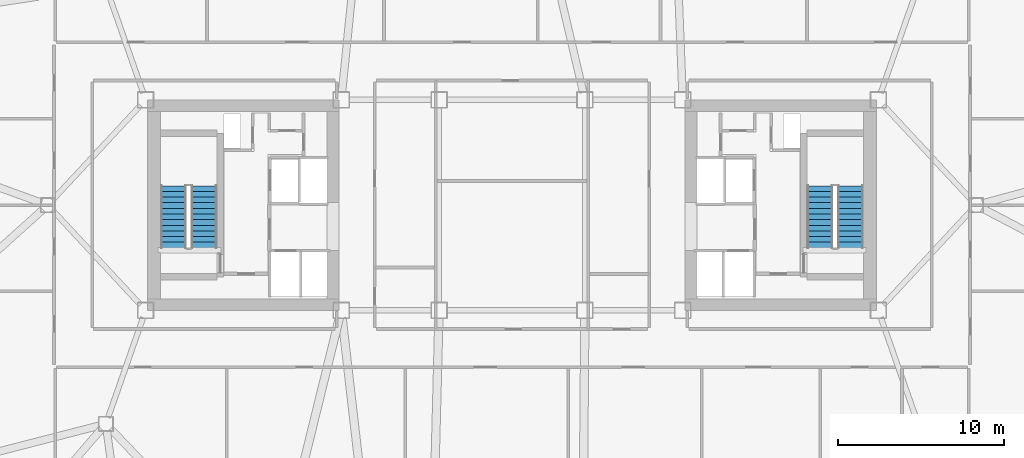
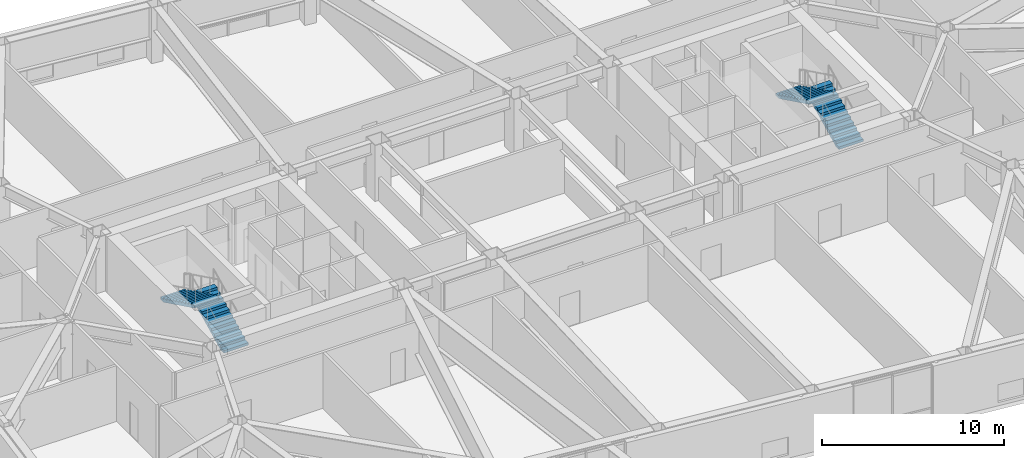
# One storey, part 15 of 21: 4 stair flights, 2 elements without a shape of their own.
"""IFC4 building model written with IfcOpenShell, lengths in metres."""

from ifc_helpers import new_model, si_unit, direction, frame, origin, place, context, subcontext, project, spatial, polyline, outline, extrude, material, type_object, element, aggregate, save


model = new_model("IFC4")

# Units and contexts
model_context = context("Model", 3, precision=1e-05, world=origin(), true_north=direction((0.0, 1.0)))
body_context = subcontext(model_context, "Body", "Model", "MODEL_VIEW")
ifc_project = project(units=[si_unit("LENGTHUNIT", "METRE"), si_unit("AREAUNIT", "SQUARE_METRE"), si_unit("VOLUMEUNIT", "CUBIC_METRE"), si_unit("PLANEANGLEUNIT", "RADIAN"), si_unit("MASSUNIT", "GRAM", prefix="KILO")], contexts=[model_context])

# Site, building, storey
site_placement = place(None, origin())
site = spatial("IfcSite", under=ifc_project, at=site_placement, CompositionType="ELEMENT")
building_placement = place(site_placement, origin())
building = spatial("IfcBuilding", under=site, at=building_placement, Name="Tavrogorsk Clinical Tower", CompositionType="ELEMENT")
storey_placement = place(building_placement, frame((0.0, 0.0, 89.39990234375)))
storey = spatial("IfcBuildingStorey", under=building, at=storey_placement, Name="L19", CompositionType="ELEMENT", Elevation=89.39990234375)

# Stair, stair flights
ifc_material_1 = material(Name="Concrete B60", Category="concrete")
stair_type = type_object("IfcStairType", Name="CoreStairAssembly", PredefinedType="HALF_TURN_STAIR", material=ifc_material_1)
stair_1_placement = place(storey_placement, origin())
stair_1 = element("IfcStair", 1, at=stair_1_placement, inside=storey, type_object=stair_type, Name="L19 ST-W", PredefinedType="HALF_TURN_STAIR")
ifc_material_2 = material(Name="Concrete B60", Category="concrete")
stair_flight_type = type_object("IfcStairFlightType", Name="CoreStairFlight", PredefinedType="STRAIGHT", material=ifc_material_2)
stair_flight_1_placement = place(storey_placement, frame((-18.574951171875, -2.574951171875, 0.0), z_axis=(0.0, 0.0, 1.0), x_axis=(0.0, 1.0, 0.0)))
stair_flight_1 = element("IfcStairFlight", 2, at=stair_flight_1_placement, type_object=stair_flight_type, Name="ST-W flight 1", NumberOfRisers=12, NumberOfTreads=11, PredefinedType="STRAIGHT", RiserHeight=0.166666667, TreadLength=0.34, context=body_context, shape_type="SweptSolid", body=[
    extrude(outline(polyline([(0.0, 0.0), (0.0, 0.166748046875), (0.340087890625, 0.166748046875), (0.340087890625, 0.333251953125), (0.679931640625, 0.333251953125), (0.679931640625, 0.5), (1.02001953125, 0.5), (1.02001953125, 0.666748046875), (1.360107421875, 0.666748046875), (1.360107421875, 0.833251953125), (1.699951171875, 0.833251953125), (1.699951171875, 1.0), (2.0400390625, 1.0), (2.0400390625, 1.166748046875), (2.3798828125, 1.166748046875), (2.3798828125, 1.333251953125), (2.719970703125, 1.333251953125), (2.719970703125, 1.5), (3.06005859375, 1.5), (3.06005859375, 1.666748046875), (3.39990234375, 1.666748046875), (3.39990234375, 1.833251953125), (3.739990234375, 1.833251953125), (3.739990234375, 2.0), (3.739990234375, 1.66650390625), (0.340576171875, 0.0), (0.0, 0.0)])), frame((0.0, 0.77490234375, 0.0), z_axis=(0.0, -1.0, 0.0), x_axis=(1.0, 0.0, 0.0)), (0.0, 0.0, 1.0), 1.550048828125),
])
stair_flight_2_placement = place(storey_placement, frame((-20.425048828125, 1.1650390625, 2.0), z_axis=(0.0, 0.0, 1.0), x_axis=(0.0, -1.0, 0.0)))
stair_flight_2 = element("IfcStairFlight", 3, at=stair_flight_2_placement, type_object=stair_flight_type, Name="ST-W flight 2", NumberOfRisers=12, NumberOfTreads=11, PredefinedType="STRAIGHT", RiserHeight=0.166666667, TreadLength=0.34, context=body_context, shape_type="SweptSolid", body=[
    extrude(outline(polyline([(0.0, 0.0), (0.0, 0.166748046875), (0.340087890625, 0.166748046875), (0.340087890625, 0.333251953125), (0.679931640625, 0.333251953125), (0.679931640625, 0.5), (1.02001953125, 0.5), (1.02001953125, 0.666748046875), (1.360107421875, 0.666748046875), (1.360107421875, 0.833251953125), (1.699951171875, 0.833251953125), (1.699951171875, 1.0), (2.0400390625, 1.0), (2.0400390625, 1.166748046875), (2.3798828125, 1.166748046875), (2.3798828125, 1.333251953125), (2.719970703125, 1.333251953125), (2.719970703125, 1.5), (3.06005859375, 1.5), (3.06005859375, 1.666748046875), (3.39990234375, 1.666748046875), (3.39990234375, 1.833251953125), (3.739990234375, 1.833251953125), (3.739990234375, 2.0), (3.739990234375, 1.66650390625), (0.340576171875, 0.0), (0.0, 0.0)])), frame((0.0, 0.77490234375, 0.0), z_axis=(0.0, -1.0, 0.0), x_axis=(1.0, 0.0, 0.0)), (0.0, 0.0, 1.0), 1.550048828125),
])
aggregate(stair_1, [stair_flight_1, stair_flight_2])

stair_2_placement = place(storey_placement, origin())
stair_2 = element("IfcStair", 4, at=stair_2_placement, inside=storey, type_object=stair_type, Name="L19 ST-E", PredefinedType="HALF_TURN_STAIR")
stair_flight_3_placement = place(storey_placement, frame((20.425048828125, -2.574951171875, 0.0), z_axis=(0.0, 0.0, 1.0), x_axis=(0.0, 1.0, 0.0)))
stair_flight_3 = element("IfcStairFlight", 5, at=stair_flight_3_placement, type_object=stair_flight_type, Name="ST-E flight 1", NumberOfRisers=12, NumberOfTreads=11, PredefinedType="STRAIGHT", RiserHeight=0.166666667, TreadLength=0.34, context=body_context, shape_type="SweptSolid", body=[
    extrude(outline(polyline([(0.0, 0.0), (0.0, 0.166748046875), (0.340087890625, 0.166748046875), (0.340087890625, 0.333251953125), (0.679931640625, 0.333251953125), (0.679931640625, 0.5), (1.02001953125, 0.5), (1.02001953125, 0.666748046875), (1.360107421875, 0.666748046875), (1.360107421875, 0.833251953125), (1.699951171875, 0.833251953125), (1.699951171875, 1.0), (2.0400390625, 1.0), (2.0400390625, 1.166748046875), (2.3798828125, 1.166748046875), (2.3798828125, 1.333251953125), (2.719970703125, 1.333251953125), (2.719970703125, 1.5), (3.06005859375, 1.5), (3.06005859375, 1.666748046875), (3.39990234375, 1.666748046875), (3.39990234375, 1.833251953125), (3.739990234375, 1.833251953125), (3.739990234375, 2.0), (3.739990234375, 1.66650390625), (0.340576171875, 0.0), (0.0, 0.0)])), frame((0.0, 0.77490234375, 0.0), z_axis=(0.0, -1.0, 0.0), x_axis=(1.0, 0.0, 0.0)), (0.0, 0.0, 1.0), 1.550048828125),
])
stair_flight_4_placement = place(storey_placement, frame((18.574951171875, 1.1650390625, 2.0), z_axis=(0.0, 0.0, 1.0), x_axis=(0.0, -1.0, 0.0)))
stair_flight_4 = element("IfcStairFlight", 6, at=stair_flight_4_placement, type_object=stair_flight_type, Name="ST-E flight 2", NumberOfRisers=12, NumberOfTreads=11, PredefinedType="STRAIGHT", RiserHeight=0.166666667, TreadLength=0.34, context=body_context, shape_type="SweptSolid", body=[
    extrude(outline(polyline([(0.0, 0.0), (0.0, 0.166748046875), (0.340087890625, 0.166748046875), (0.340087890625, 0.333251953125), (0.679931640625, 0.333251953125), (0.679931640625, 0.5), (1.02001953125, 0.5), (1.02001953125, 0.666748046875), (1.360107421875, 0.666748046875), (1.360107421875, 0.833251953125), (1.699951171875, 0.833251953125), (1.699951171875, 1.0), (2.0400390625, 1.0), (2.0400390625, 1.166748046875), (2.3798828125, 1.166748046875), (2.3798828125, 1.333251953125), (2.719970703125, 1.333251953125), (2.719970703125, 1.5), (3.06005859375, 1.5), (3.06005859375, 1.666748046875), (3.39990234375, 1.666748046875), (3.39990234375, 1.833251953125), (3.739990234375, 1.833251953125), (3.739990234375, 2.0), (3.739990234375, 1.66650390625), (0.340576171875, 0.0), (0.0, 0.0)])), frame((0.0, 0.77490234375, 0.0), z_axis=(0.0, -1.0, 0.0), x_axis=(1.0, 0.0, 0.0)), (0.0, 0.0, 1.0), 1.550048828125),
])
aggregate(stair_2, [stair_flight_3, stair_flight_4])

save(model, "model.ifc")
